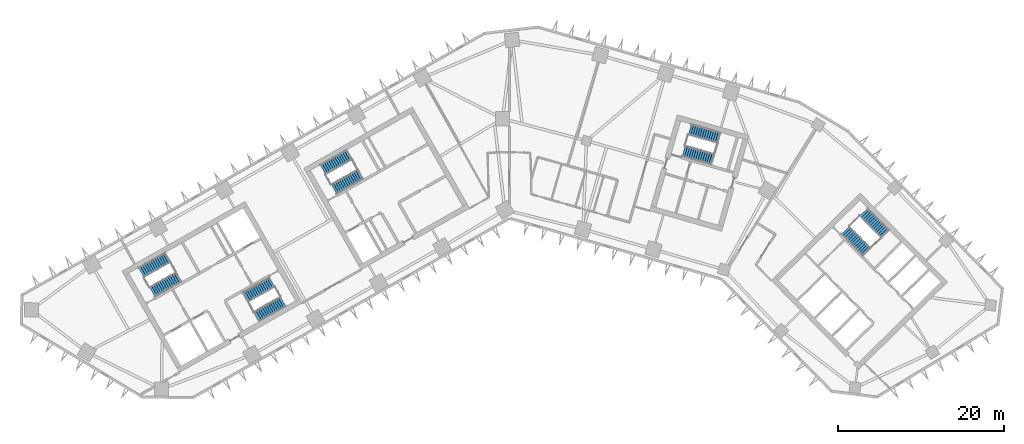
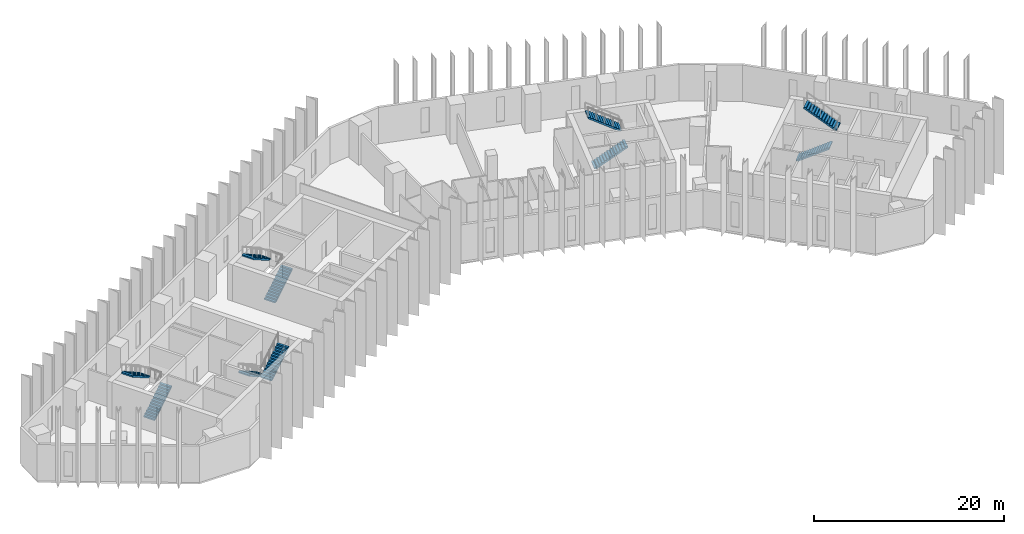
# One storey, part 8 of 11: 10 stair flights, 5 elements without a shape of their own.
"""IFC4 building model written with IfcOpenShell, lengths in metres."""

from ifc_helpers import new_model, si_unit, direction, frame, origin, place, context, subcontext, project, spatial, polyline, outline, extrude, material, type_object, element, aggregate, save


model = new_model("IFC4")

# Units and contexts
model_context = context("Model", 3, precision=1e-05, world=origin(), true_north=direction((0.0, 1.0)))
body_context = subcontext(model_context, "Body", "Model", "MODEL_VIEW")
ifc_project = project(units=[si_unit("LENGTHUNIT", "METRE"), si_unit("AREAUNIT", "SQUARE_METRE"), si_unit("VOLUMEUNIT", "CUBIC_METRE"), si_unit("PLANEANGLEUNIT", "RADIAN"), si_unit("MASSUNIT", "GRAM", prefix="KILO")], contexts=[model_context])

# Site, building, storey
site_placement = place(None, origin())
site = spatial("IfcSite", under=ifc_project, at=site_placement, CompositionType="ELEMENT")
building_placement = place(site_placement, origin())
building = spatial("IfcBuilding", under=site, at=building_placement, Name="Binnacle Exchange Tower", CompositionType="ELEMENT")
storey_placement = place(building_placement, frame((0.0, 0.0, 46.5)))
storey = spatial("IfcBuildingStorey", under=building, at=storey_placement, Name="L09", CompositionType="ELEMENT", Elevation=46.5)

# Stair, stair flights
ifc_material = material(Name="Concrete C35/45", Category="concrete")
stair_type = type_object("IfcStairType", Name="STAIR 28 RISERS 179", PredefinedType="HALF_TURN_STAIR", material=ifc_material)
stair_1_placement = place(storey_placement, origin())
stair_1 = element("IfcStair", 1, at=stair_1_placement, inside=storey, type_object=stair_type, Name="L09 Escape stair A1", PredefinedType="HALF_TURN_STAIR")
stair_flight_type = type_object("IfcStairFlightType", Name="STAIR FLIGHT 179X280", PredefinedType="STRAIGHT", material=ifc_material)
stair_flight_1_placement = place(storey_placement, frame((-42.9541015625, 39.17333984375, 0.0), z_axis=(0.0, 0.0, 1.0), x_axis=(0.870355584213, 0.492423757581, 0.0)))
stair_flight_1 = element("IfcStairFlight", 2, at=stair_flight_1_placement, type_object=stair_flight_type, Name="STA1 flight 1", NumberOfRisers=14, NumberOfTreads=13, PredefinedType="STRAIGHT", RiserHeight=0.178571429, TreadLength=0.28, context=body_context, shape_type="SweptSolid", body=[
    extrude(outline(polyline([(0.0, 0.0), (0.0, 0.178466796875), (0.280029296875, 0.178466796875), (0.280029296875, 0.357177734375), (0.56005859375, 0.357177734375), (0.56005859375, 0.53564453125), (0.840087890625, 0.53564453125), (0.840087890625, 0.71435546875), (1.1201171875, 0.71435546875), (1.1201171875, 0.892822265625), (1.39990234375, 0.892822265625), (1.39990234375, 1.071533203125), (1.679931640625, 1.071533203125), (1.679931640625, 1.25), (1.9599609375, 1.25), (1.9599609375, 1.428466796875), (2.239990234375, 1.428466796875), (2.239990234375, 1.607177734375), (2.52001953125, 1.607177734375), (2.52001953125, 1.78564453125), (2.800048828125, 1.78564453125), (2.800048828125, 1.96435546875), (3.080078125, 1.96435546875), (3.080078125, 2.142822265625), (3.360107421875, 2.142822265625), (3.360107421875, 2.321533203125), (3.639892578125, 2.321533203125), (3.639892578125, 2.5), (3.639892578125, 2.1435546875), (0.27880859375, 0.0), (0.0, 0.0)])), frame((0.0, 0.675048828125, 0.0), z_axis=(0.0, -1.0, 0.0), x_axis=(1.0, 0.0, 0.0)), (0.0, 0.0, 1.0), 1.35009765625),
])
stair_flight_2_placement = place(storey_placement, frame((-41.115478515625, 43.315673828125, 2.5), z_axis=(0.0, 0.0, 1.0), x_axis=(-0.870355584213, -0.492423757581, 0.0)))
stair_flight_2 = element("IfcStairFlight", 3, at=stair_flight_2_placement, type_object=stair_flight_type, Name="STA1 flight 2", NumberOfRisers=14, NumberOfTreads=13, PredefinedType="STRAIGHT", RiserHeight=0.178571429, TreadLength=0.28, context=body_context, shape_type="SweptSolid", body=[
    extrude(outline(polyline([(0.0, 0.0), (0.0, 0.178466796875), (0.280029296875, 0.178466796875), (0.280029296875, 0.357177734375), (0.56005859375, 0.357177734375), (0.56005859375, 0.53564453125), (0.840087890625, 0.53564453125), (0.840087890625, 0.71435546875), (1.1201171875, 0.71435546875), (1.1201171875, 0.892822265625), (1.39990234375, 0.892822265625), (1.39990234375, 1.071533203125), (1.679931640625, 1.071533203125), (1.679931640625, 1.25), (1.9599609375, 1.25), (1.9599609375, 1.428466796875), (2.239990234375, 1.428466796875), (2.239990234375, 1.607177734375), (2.52001953125, 1.607177734375), (2.52001953125, 1.78564453125), (2.800048828125, 1.78564453125), (2.800048828125, 1.96435546875), (3.080078125, 1.96435546875), (3.080078125, 2.142822265625), (3.360107421875, 2.142822265625), (3.360107421875, 2.321533203125), (3.639892578125, 2.321533203125), (3.639892578125, 2.5), (3.639892578125, 2.1435546875), (0.27880859375, 0.0), (0.0, 0.0)])), frame((0.0, 0.675048828125, 0.0), z_axis=(0.0, -1.0, 0.0), x_axis=(1.0, 0.0, 0.0)), (0.0, 0.0, 1.0), 1.35009765625),
])
aggregate(stair_1, [stair_flight_1, stair_flight_2])

stair_2_placement = place(storey_placement, origin())
stair_2 = element("IfcStair", 4, at=stair_2_placement, inside=storey, type_object=stair_type, Name="L09 Escape stair A2", PredefinedType="HALF_TURN_STAIR")
stair_flight_3_placement = place(storey_placement, frame((-28.5732421875, 40.3583984375, 0.0), z_axis=(0.0, 0.0, 1.0), x_axis=(-0.870355584213, -0.492423757581, 0.0)))
stair_flight_3 = element("IfcStairFlight", 5, at=stair_flight_3_placement, type_object=stair_flight_type, Name="STA2 flight 1", NumberOfRisers=14, NumberOfTreads=13, PredefinedType="STRAIGHT", RiserHeight=0.178571429, TreadLength=0.28, context=body_context, shape_type="SweptSolid", body=[
    extrude(outline(polyline([(0.0, 0.0), (0.0, 0.178466796875), (0.280029296875, 0.178466796875), (0.280029296875, 0.357177734375), (0.56005859375, 0.357177734375), (0.56005859375, 0.53564453125), (0.840087890625, 0.53564453125), (0.840087890625, 0.71435546875), (1.1201171875, 0.71435546875), (1.1201171875, 0.892822265625), (1.39990234375, 0.892822265625), (1.39990234375, 1.071533203125), (1.679931640625, 1.071533203125), (1.679931640625, 1.25), (1.9599609375, 1.25), (1.9599609375, 1.428466796875), (2.239990234375, 1.428466796875), (2.239990234375, 1.607177734375), (2.52001953125, 1.607177734375), (2.52001953125, 1.78564453125), (2.800048828125, 1.78564453125), (2.800048828125, 1.96435546875), (3.080078125, 1.96435546875), (3.080078125, 2.142822265625), (3.360107421875, 2.142822265625), (3.360107421875, 2.321533203125), (3.639892578125, 2.321533203125), (3.639892578125, 2.5), (3.639892578125, 2.1435546875), (0.27880859375, 0.0), (0.0, 0.0)])), frame((0.0, 0.675048828125, 0.0), z_axis=(0.0, -1.0, 0.0), x_axis=(1.0, 0.0, 0.0)), (0.0, 0.0, 1.0), 1.35009765625),
])
stair_flight_4_placement = place(storey_placement, frame((-30.411865234375, 36.216064453125, 2.5), z_axis=(0.0, 0.0, 1.0), x_axis=(0.870355584213, 0.492423757581, 0.0)))
stair_flight_4 = element("IfcStairFlight", 6, at=stair_flight_4_placement, type_object=stair_flight_type, Name="STA2 flight 2", NumberOfRisers=14, NumberOfTreads=13, PredefinedType="STRAIGHT", RiserHeight=0.178571429, TreadLength=0.28, context=body_context, shape_type="SweptSolid", body=[
    extrude(outline(polyline([(0.0, 0.0), (0.0, 0.178466796875), (0.280029296875, 0.178466796875), (0.280029296875, 0.357177734375), (0.56005859375, 0.357177734375), (0.56005859375, 0.53564453125), (0.840087890625, 0.53564453125), (0.840087890625, 0.71435546875), (1.1201171875, 0.71435546875), (1.1201171875, 0.892822265625), (1.39990234375, 0.892822265625), (1.39990234375, 1.071533203125), (1.679931640625, 1.071533203125), (1.679931640625, 1.25), (1.9599609375, 1.25), (1.9599609375, 1.428466796875), (2.239990234375, 1.428466796875), (2.239990234375, 1.607177734375), (2.52001953125, 1.607177734375), (2.52001953125, 1.78564453125), (2.800048828125, 1.78564453125), (2.800048828125, 1.96435546875), (3.080078125, 1.96435546875), (3.080078125, 2.142822265625), (3.360107421875, 2.142822265625), (3.360107421875, 2.321533203125), (3.639892578125, 2.321533203125), (3.639892578125, 2.5), (3.639892578125, 2.1435546875), (0.27880859375, 0.0), (0.0, 0.0)])), frame((0.0, 0.675048828125, 0.0), z_axis=(0.0, -1.0, 0.0), x_axis=(1.0, 0.0, 0.0)), (0.0, 0.0, 1.0), 1.35009765625),
])
aggregate(stair_2, [stair_flight_3, stair_flight_4])

stair_3_placement = place(storey_placement, origin())
stair_3 = element("IfcStair", 7, at=stair_3_placement, inside=storey, type_object=stair_type, Name="L09 Escape stair B1", PredefinedType="HALF_TURN_STAIR")
stair_flight_5_placement = place(storey_placement, frame((40.376708984375, 46.608642578125, 0.0), z_axis=(0.0, 0.0, 1.0), x_axis=(0.70090935144, -0.713250363522, 0.0)))
stair_flight_5 = element("IfcStairFlight", 8, at=stair_flight_5_placement, type_object=stair_flight_type, Name="STB1 flight 1", NumberOfRisers=14, NumberOfTreads=13, PredefinedType="STRAIGHT", RiserHeight=0.178571429, TreadLength=0.28, context=body_context, shape_type="SweptSolid", body=[
    extrude(outline(polyline([(0.0, 0.0), (0.0, 0.178466796875), (0.280029296875, 0.178466796875), (0.280029296875, 0.357177734375), (0.56005859375, 0.357177734375), (0.56005859375, 0.53564453125), (0.840087890625, 0.53564453125), (0.840087890625, 0.71435546875), (1.1201171875, 0.71435546875), (1.1201171875, 0.892822265625), (1.39990234375, 0.892822265625), (1.39990234375, 1.071533203125), (1.679931640625, 1.071533203125), (1.679931640625, 1.25), (1.9599609375, 1.25), (1.9599609375, 1.428466796875), (2.239990234375, 1.428466796875), (2.239990234375, 1.607177734375), (2.52001953125, 1.607177734375), (2.52001953125, 1.78564453125), (2.800048828125, 1.78564453125), (2.800048828125, 1.96435546875), (3.080078125, 1.96435546875), (3.080078125, 2.142822265625), (3.360107421875, 2.142822265625), (3.360107421875, 2.321533203125), (3.639892578125, 2.321533203125), (3.639892578125, 2.5), (3.639892578125, 2.1435546875), (0.27880859375, 0.0), (0.0, 0.0)])), frame((0.0, 0.675048828125, 0.0), z_axis=(0.0, -1.0, 0.0), x_axis=(1.0, 0.0, 0.0)), (0.0, 0.0, 1.0), 1.35009765625),
])
stair_flight_6_placement = place(storey_placement, frame((45.13916015625, 46.185302734375, 2.5), z_axis=(0.0, 0.0, 1.0), x_axis=(-0.70090935144, 0.713250363522, 0.0)))
stair_flight_6 = element("IfcStairFlight", 9, at=stair_flight_6_placement, type_object=stair_flight_type, Name="STB1 flight 2", NumberOfRisers=14, NumberOfTreads=13, PredefinedType="STRAIGHT", RiserHeight=0.178571429, TreadLength=0.28, context=body_context, shape_type="SweptSolid", body=[
    extrude(outline(polyline([(0.0, 0.0), (0.0, 0.178466796875), (0.280029296875, 0.178466796875), (0.280029296875, 0.357177734375), (0.56005859375, 0.357177734375), (0.56005859375, 0.53564453125), (0.840087890625, 0.53564453125), (0.840087890625, 0.71435546875), (1.1201171875, 0.71435546875), (1.1201171875, 0.892822265625), (1.39990234375, 0.892822265625), (1.39990234375, 1.071533203125), (1.679931640625, 1.071533203125), (1.679931640625, 1.25), (1.9599609375, 1.25), (1.9599609375, 1.428466796875), (2.239990234375, 1.428466796875), (2.239990234375, 1.607177734375), (2.52001953125, 1.607177734375), (2.52001953125, 1.78564453125), (2.800048828125, 1.78564453125), (2.800048828125, 1.96435546875), (3.080078125, 1.96435546875), (3.080078125, 2.142822265625), (3.360107421875, 2.142822265625), (3.360107421875, 2.321533203125), (3.639892578125, 2.321533203125), (3.639892578125, 2.5), (3.639892578125, 2.1435546875), (0.27880859375, 0.0), (0.0, 0.0)])), frame((0.0, 0.675048828125, 0.0), z_axis=(0.0, -1.0, 0.0), x_axis=(1.0, 0.0, 0.0)), (0.0, 0.0, 1.0), 1.35009765625),
])
aggregate(stair_3, [stair_flight_5, stair_flight_6])

stair_4_placement = place(storey_placement, origin())
stair_4 = element("IfcStair", 10, at=stair_4_placement, inside=storey, type_object=stair_type, Name="L09 Escape stair C1", PredefinedType="HALF_TURN_STAIR")
stair_flight_7_placement = place(storey_placement, frame((-21.115966796875, 51.528564453125, 0.0), z_axis=(0.0, 0.0, 1.0), x_axis=(0.870355584213, 0.492423757581, 0.0)))
stair_flight_7 = element("IfcStairFlight", 11, at=stair_flight_7_placement, type_object=stair_flight_type, Name="STC1 flight 1", NumberOfRisers=14, NumberOfTreads=13, PredefinedType="STRAIGHT", RiserHeight=0.178571429, TreadLength=0.28, context=body_context, shape_type="SweptSolid", body=[
    extrude(outline(polyline([(0.0, 0.0), (0.0, 0.178466796875), (0.280029296875, 0.178466796875), (0.280029296875, 0.357177734375), (0.56005859375, 0.357177734375), (0.56005859375, 0.53564453125), (0.840087890625, 0.53564453125), (0.840087890625, 0.71435546875), (1.1201171875, 0.71435546875), (1.1201171875, 0.892822265625), (1.39990234375, 0.892822265625), (1.39990234375, 1.071533203125), (1.679931640625, 1.071533203125), (1.679931640625, 1.25), (1.9599609375, 1.25), (1.9599609375, 1.428466796875), (2.239990234375, 1.428466796875), (2.239990234375, 1.607177734375), (2.52001953125, 1.607177734375), (2.52001953125, 1.78564453125), (2.800048828125, 1.78564453125), (2.800048828125, 1.96435546875), (3.080078125, 1.96435546875), (3.080078125, 2.142822265625), (3.360107421875, 2.142822265625), (3.360107421875, 2.321533203125), (3.639892578125, 2.321533203125), (3.639892578125, 2.5), (3.639892578125, 2.1435546875), (0.27880859375, 0.0), (0.0, 0.0)])), frame((0.0, 0.675048828125, 0.0), z_axis=(0.0, -1.0, 0.0), x_axis=(1.0, 0.0, 0.0)), (0.0, 0.0, 1.0), 1.35009765625),
])
stair_flight_8_placement = place(storey_placement, frame((-19.27734375, 55.671142578125, 2.5), z_axis=(0.0, 0.0, 1.0), x_axis=(-0.870355584213, -0.492423757581, 0.0)))
stair_flight_8 = element("IfcStairFlight", 12, at=stair_flight_8_placement, type_object=stair_flight_type, Name="STC1 flight 2", NumberOfRisers=14, NumberOfTreads=13, PredefinedType="STRAIGHT", RiserHeight=0.178571429, TreadLength=0.28, context=body_context, shape_type="SweptSolid", body=[
    extrude(outline(polyline([(0.0, 0.0), (0.0, 0.178466796875), (0.280029296875, 0.178466796875), (0.280029296875, 0.357177734375), (0.56005859375, 0.357177734375), (0.56005859375, 0.53564453125), (0.840087890625, 0.53564453125), (0.840087890625, 0.71435546875), (1.1201171875, 0.71435546875), (1.1201171875, 0.892822265625), (1.39990234375, 0.892822265625), (1.39990234375, 1.071533203125), (1.679931640625, 1.071533203125), (1.679931640625, 1.25), (1.9599609375, 1.25), (1.9599609375, 1.428466796875), (2.239990234375, 1.428466796875), (2.239990234375, 1.607177734375), (2.52001953125, 1.607177734375), (2.52001953125, 1.78564453125), (2.800048828125, 1.78564453125), (2.800048828125, 1.96435546875), (3.080078125, 1.96435546875), (3.080078125, 2.142822265625), (3.360107421875, 2.142822265625), (3.360107421875, 2.321533203125), (3.639892578125, 2.321533203125), (3.639892578125, 2.5), (3.639892578125, 2.1435546875), (0.27880859375, 0.0), (0.0, 0.0)])), frame((0.0, 0.675048828125, 0.0), z_axis=(0.0, -1.0, 0.0), x_axis=(1.0, 0.0, 0.0)), (0.0, 0.0, 1.0), 1.35009765625),
])
aggregate(stair_4, [stair_flight_7, stair_flight_8])

stair_5_placement = place(storey_placement, origin())
stair_5 = element("IfcStair", 13, at=stair_5_placement, inside=storey, type_object=stair_type, Name="L09 Escape stair D1", PredefinedType="HALF_TURN_STAIR")
stair_flight_9_placement = place(storey_placement, frame((20.914306640625, 56.109619140625, 0.0), z_axis=(0.0, 0.0, 1.0), x_axis=(0.961261811397, -0.275636953165, 0.0)))
stair_flight_9 = element("IfcStairFlight", 14, at=stair_flight_9_placement, type_object=stair_flight_type, Name="STD1 flight 1", NumberOfRisers=14, NumberOfTreads=13, PredefinedType="STRAIGHT", RiserHeight=0.178571429, TreadLength=0.28, context=body_context, shape_type="SweptSolid", body=[
    extrude(outline(polyline([(0.0, 0.0), (0.0, 0.178466796875), (0.280029296875, 0.178466796875), (0.280029296875, 0.357177734375), (0.56005859375, 0.357177734375), (0.56005859375, 0.53564453125), (0.840087890625, 0.53564453125), (0.840087890625, 0.71435546875), (1.1201171875, 0.71435546875), (1.1201171875, 0.892822265625), (1.39990234375, 0.892822265625), (1.39990234375, 1.071533203125), (1.679931640625, 1.071533203125), (1.679931640625, 1.25), (1.9599609375, 1.25), (1.9599609375, 1.428466796875), (2.239990234375, 1.428466796875), (2.239990234375, 1.607177734375), (2.52001953125, 1.607177734375), (2.52001953125, 1.78564453125), (2.800048828125, 1.78564453125), (2.800048828125, 1.96435546875), (3.080078125, 1.96435546875), (3.080078125, 2.142822265625), (3.360107421875, 2.142822265625), (3.360107421875, 2.321533203125), (3.639892578125, 2.321533203125), (3.639892578125, 2.5), (3.639892578125, 2.1435546875), (0.27880859375, 0.0), (0.0, 0.0)])), frame((0.0, 0.675048828125, 0.0), z_axis=(0.0, -1.0, 0.0), x_axis=(1.0, 0.0, 0.0)), (0.0, 0.0, 1.0), 1.35009765625),
])
stair_flight_10_placement = place(storey_placement, frame((25.157470703125, 57.70166015625, 2.5), z_axis=(0.0, 0.0, 1.0), x_axis=(-0.961261811397, 0.275636953165, 0.0)))
stair_flight_10 = element("IfcStairFlight", 15, at=stair_flight_10_placement, type_object=stair_flight_type, Name="STD1 flight 2", NumberOfRisers=14, NumberOfTreads=13, PredefinedType="STRAIGHT", RiserHeight=0.178571429, TreadLength=0.28, context=body_context, shape_type="SweptSolid", body=[
    extrude(outline(polyline([(0.0, 0.0), (0.0, 0.178466796875), (0.280029296875, 0.178466796875), (0.280029296875, 0.357177734375), (0.56005859375, 0.357177734375), (0.56005859375, 0.53564453125), (0.840087890625, 0.53564453125), (0.840087890625, 0.71435546875), (1.1201171875, 0.71435546875), (1.1201171875, 0.892822265625), (1.39990234375, 0.892822265625), (1.39990234375, 1.071533203125), (1.679931640625, 1.071533203125), (1.679931640625, 1.25), (1.9599609375, 1.25), (1.9599609375, 1.428466796875), (2.239990234375, 1.428466796875), (2.239990234375, 1.607177734375), (2.52001953125, 1.607177734375), (2.52001953125, 1.78564453125), (2.800048828125, 1.78564453125), (2.800048828125, 1.96435546875), (3.080078125, 1.96435546875), (3.080078125, 2.142822265625), (3.360107421875, 2.142822265625), (3.360107421875, 2.321533203125), (3.639892578125, 2.321533203125), (3.639892578125, 2.5), (3.639892578125, 2.1435546875), (0.27880859375, 0.0), (0.0, 0.0)])), frame((0.0, 0.675048828125, 0.0), z_axis=(0.0, -1.0, 0.0), x_axis=(1.0, 0.0, 0.0)), (0.0, 0.0, 1.0), 1.35009765625),
])
aggregate(stair_5, [stair_flight_9, stair_flight_10])

save(model, "model.ifc")
